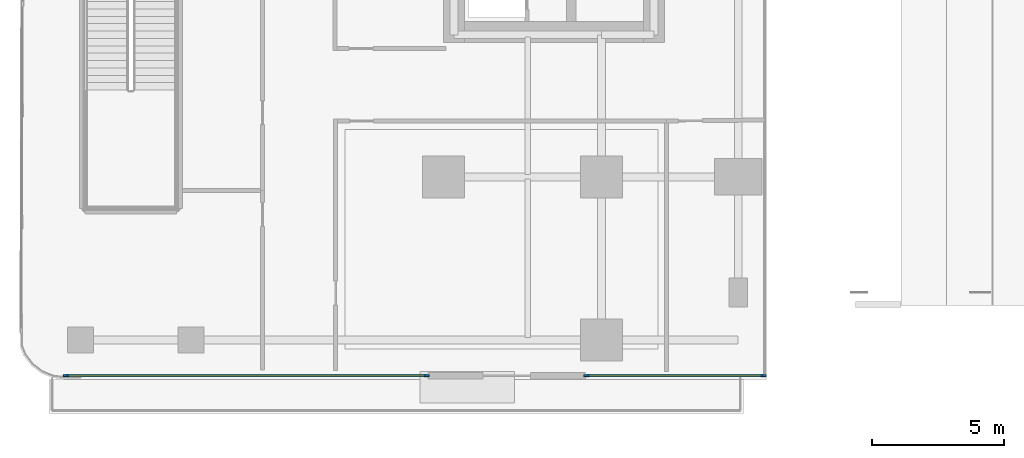
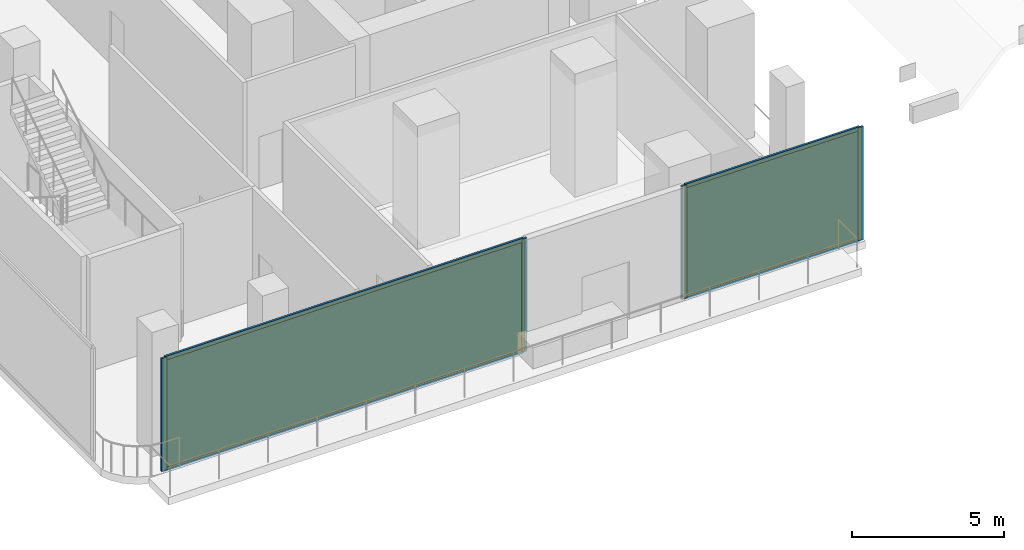
# One storey, part 16 of 32: 8 members, 2 curtain walls, 2 plates.
"""IFC4 building model written with IfcOpenShell, lengths in metres."""

from ifc_helpers import new_model, si_unit, direction, frame, frame_2d, origin, origin_2d, place, context, subcontext, project, spatial, rectangle, extrude, material, layer, layer_set, material_profile, profile_set, type_object, element, aggregate, save


model = new_model("IFC4")

# Units and contexts
model_context = context("Model", 3, precision=1e-05, world=origin(), true_north=direction((0.0, 1.0)))
body_context = subcontext(model_context, "Body", "Model", "MODEL_VIEW")
ifc_project = project(units=[si_unit("LENGTHUNIT", "METRE"), si_unit("AREAUNIT", "SQUARE_METRE"), si_unit("VOLUMEUNIT", "CUBIC_METRE"), si_unit("PLANEANGLEUNIT", "RADIAN"), si_unit("MASSUNIT", "GRAM", prefix="KILO")], contexts=[model_context])

# Member
ifc_material_1 = material(Name="Anodised Bronze Aluminium 6063-T6", Category="aluminium")
ifc_material_profile_1 = material_profile(ifc_material_1, rectangle(XDim=0.074951171875, YDim=0.199951171875, at=origin_2d()))
ifc_profile_set_1 = profile_set([ifc_material_profile_1], Name="Anodised Bronze Aluminium 6063-T6")
member_type_1 = type_object("IfcMemberType", Name="CW-POD Mullion 75x200", PredefinedType="MULLION", material=ifc_profile_set_1)
site_placement = place(None, origin())
building_placement = place(site_placement, origin())
storey_placement = place(building_placement, frame((0.0, 0.0, 16.0)))
member_1_placement = place(storey_placement, frame((-34.75341796875, -26.159912109375, 0.0), z_axis=(0.0, 0.0, 1.0), x_axis=(0.0, 1.0, 0.0)))
member_1 = element("IfcMember", 1, at=member_1_placement, type_object=member_type_1, Name="CW-POD mullion 1", PredefinedType="MULLION", context=body_context, shape_type="SweptSolid", body=[
    extrude(rectangle(XDim=0.074951171875, YDim=0.199951171875, at=origin_2d()), origin(), (0.0, 0.0, 1.0), 4.550048828125),
])

member_2_placement = place(storey_placement, frame((-21.03759765625, -26.159912109375, 0.0), z_axis=(0.0, 0.0, 1.0), x_axis=(0.0, 1.0, 0.0)))
member_2 = element("IfcMember", 2, at=member_2_placement, type_object=member_type_1, Name="CW-POD mullion 2", PredefinedType="MULLION", context=body_context, shape_type="SweptSolid", body=[
    extrude(rectangle(XDim=0.074951171875, YDim=0.199951171875, at=origin_2d()), origin(), (0.0, 0.0, 1.0), 4.550048828125),
])

member_3_placement = place(storey_placement, frame((-14.96240234375, -26.159912109375, 0.0), z_axis=(0.0, 0.0, 1.0), x_axis=(0.0, 1.0, 0.0)))
member_3 = element("IfcMember", 3, at=member_3_placement, type_object=member_type_1, Name="CW-POD mullion 1", PredefinedType="MULLION", context=body_context, shape_type="SweptSolid", body=[
    extrude(rectangle(XDim=0.074951171875, YDim=0.199951171875, at=origin_2d()), origin(), (0.0, 0.0, 1.0), 4.550048828125),
])

member_4_placement = place(storey_placement, frame((-8.237548828125, -26.159912109375, 0.0), z_axis=(0.0, 0.0, 1.0), x_axis=(0.0, 1.0, 0.0)))
member_4 = element("IfcMember", 4, at=member_4_placement, type_object=member_type_1, Name="CW-POD mullion 2", PredefinedType="MULLION", context=body_context, shape_type="SweptSolid", body=[
    extrude(rectangle(XDim=0.074951171875, YDim=0.199951171875, at=origin_2d()), origin(), (0.0, 0.0, 1.0), 4.550048828125),
])

ifc_material_2 = material(Name="Anodised Bronze Aluminium 6063-T6", Category="aluminium")
ifc_material_profile_2 = material_profile(ifc_material_2, rectangle(XDim=0.074951171875, YDim=0.159912109375, at=origin_2d()))
ifc_profile_set_2 = profile_set([ifc_material_profile_2], Name="Anodised Bronze Aluminium 6063-T6")
member_type_2 = type_object("IfcMemberType", Name="CW-POD Transom 75x160", PredefinedType="USERDEFINED", material=ifc_profile_set_2)
member_5_placement = place(storey_placement, frame((-34.7158203125, -26.159912109375, 0.03759765625), z_axis=(1.0, 0.0, 0.0), x_axis=(0.0, 1.0, 0.0)))
member_5 = element("IfcMember", 5, at=member_5_placement, type_object=member_type_2, Name="CW-POD transom 1.1", ObjectType="TRANSOM", PredefinedType="USERDEFINED", context=body_context, shape_type="SweptSolid", body=[
    extrude(rectangle(XDim=0.074951171875, YDim=0.159912109375, at=origin_2d()), origin(), (0.0, 0.0, 1.0), 13.640869140625),
])

member_6_placement = place(storey_placement, frame((-34.7158203125, -26.159912109375, 4.512451171875), z_axis=(1.0, 0.0, 0.0), x_axis=(0.0, 1.0, 0.0)))
member_6 = element("IfcMember", 6, at=member_6_placement, type_object=member_type_2, Name="CW-POD transom 1.2", ObjectType="TRANSOM", PredefinedType="USERDEFINED", context=body_context, shape_type="SweptSolid", body=[
    extrude(rectangle(XDim=0.074951171875, YDim=0.159912109375, at=origin_2d()), origin(), (0.0, 0.0, 1.0), 13.640869140625),
])

member_7_placement = place(storey_placement, frame((-14.925048828125, -26.159912109375, 0.03759765625), z_axis=(1.0, 0.0, 0.0), x_axis=(0.0, 1.0, 0.0)))
member_7 = element("IfcMember", 7, at=member_7_placement, type_object=member_type_2, Name="CW-POD transom 1.1", ObjectType="TRANSOM", PredefinedType="USERDEFINED", context=body_context, shape_type="SweptSolid", body=[
    extrude(rectangle(XDim=0.074951171875, YDim=0.159912109375, at=origin_2d()), origin(), (0.0, 0.0, 1.0), 6.650146484375),
])

member_8_placement = place(storey_placement, frame((-14.925048828125, -26.159912109375, 4.512451171875), z_axis=(1.0, 0.0, 0.0), x_axis=(0.0, 1.0, 0.0)))
member_8 = element("IfcMember", 8, at=member_8_placement, type_object=member_type_2, Name="CW-POD transom 1.2", ObjectType="TRANSOM", PredefinedType="USERDEFINED", context=body_context, shape_type="SweptSolid", body=[
    extrude(rectangle(XDim=0.074951171875, YDim=0.159912109375, at=origin_2d()), origin(), (0.0, 0.0, 1.0), 6.650146484375),
])

# Plate
ifc_material_3 = material(Name="Low-E Solar Control Laminated Glass", Category="glass")
ifc_layer_1 = layer(ifc_material_3, 0.031982421875, Name="Low-E Solar Control Laminated Glass")
ifc_layer_set_1 = layer_set([ifc_layer_1], Name="Low-E Solar Control Laminated Glass")
plate_type = type_object("IfcPlateType", Name="CW-POD Low-E Double Glazed Panel 32mm", PredefinedType="CURTAIN_PANEL", material=ifc_layer_set_1)
plate_1_placement = place(storey_placement, frame((-27.8955078125, -26.159912109375, 0.074951171875), z_axis=(0.0, 0.0, 1.0), x_axis=(1.0, 0.0, 0.0)))
plate_1 = element("IfcPlate", 9, at=plate_1_placement, type_object=plate_type, Name="CW-POD panel 1.1", PredefinedType="CURTAIN_PANEL", context=body_context, shape_type="SweptSolid", body=[
    extrude(rectangle(XDim=13.640869140625, YDim=0.031982421875, at=origin_2d()), origin(), (0.0, 0.0, 1.0), 4.39990234375),
])

plate_2_placement = place(storey_placement, frame((-11.60009765625, -26.159912109375, 0.074951171875), z_axis=(0.0, 0.0, 1.0), x_axis=(1.0, 0.0, 0.0)))
plate_2 = element("IfcPlate", 10, at=plate_2_placement, type_object=plate_type, Name="CW-POD panel 1.1", PredefinedType="CURTAIN_PANEL", context=body_context, shape_type="SweptSolid", body=[
    extrude(rectangle(XDim=6.64990234375, YDim=0.031982421875, at=origin_2d()), origin(), (0.0, 0.0, 1.0), 4.39990234375),
])

# Site, building, storey
site = spatial("IfcSite", under=ifc_project, at=site_placement, CompositionType="ELEMENT")
building = spatial("IfcBuilding", under=site, at=building_placement, Name="Khairoan Windgate Tower", CompositionType="ELEMENT")
storey = spatial("IfcBuildingStorey", under=building, at=storey_placement, Name="L04", CompositionType="ELEMENT", Elevation=16.0)

# Curtain wall
ifc_material_4 = material(Name="Anodised Bronze Aluminium 6063-T6", Category="aluminium")
ifc_layer_2 = layer(ifc_material_4, 0.199951171875, Name="Anodised Bronze Aluminium 6063-T6")
ifc_layer_set_2 = layer_set([ifc_layer_2], Name="Anodised Bronze Aluminium 6063-T6")
curtain_wall_type = type_object("IfcCurtainWallType", Name="Podium Arch Galleria Curtain Wall CW-POD", PredefinedType="NOTDEFINED", material=ifc_layer_set_2)
curtain_wall_1_placement = place(storey_placement, frame((-34.790771484375, -26.159912109375, 0.0), z_axis=(0.0, 0.0, 1.0), x_axis=(1.0, 0.0, 0.0)))
curtain_wall_1 = element("IfcCurtainWall", 11, at=curtain_wall_1_placement, inside=storey, type_object=curtain_wall_type, Name="L04 West Wing CW 8A", PredefinedType="NOTDEFINED", context=body_context, shape_type="SweptSolid", body=[
    extrude(rectangle(XDim=13.790771484375, YDim=0.010009765625, at=frame_2d((6.8955078125, 0.0))), origin(), (0.0, 0.0, 1.0), 4.550048828125),
])

aggregate(curtain_wall_1, [member_1, member_2, member_5, member_6, plate_1])

curtain_wall_2_placement = place(storey_placement, frame((-15.0, -26.159912109375, 0.0), z_axis=(0.0, 0.0, 1.0), x_axis=(1.0, 0.0, 0.0)))
curtain_wall_2 = element("IfcCurtainWall", 12, at=curtain_wall_2_placement, inside=storey, type_object=curtain_wall_type, Name="L04 West Wing CW 8B", PredefinedType="NOTDEFINED", context=body_context, shape_type="SweptSolid", body=[
    extrude(rectangle(XDim=6.800048828125, YDim=0.010009765625, at=frame_2d((3.39990234375, 0.0))), origin(), (0.0, 0.0, 1.0), 4.550048828125),
])

aggregate(curtain_wall_2, [member_3, member_4, member_7, member_8, plate_2])

save(model, "model.ifc")
